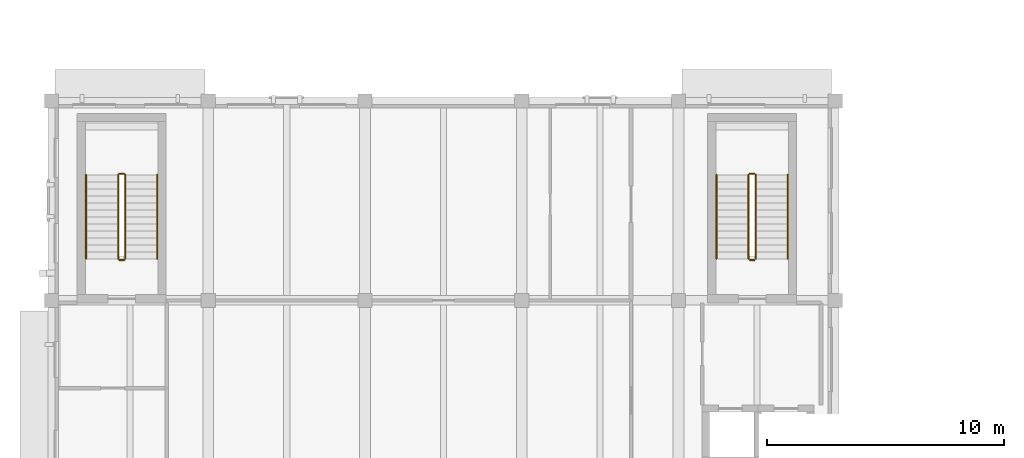
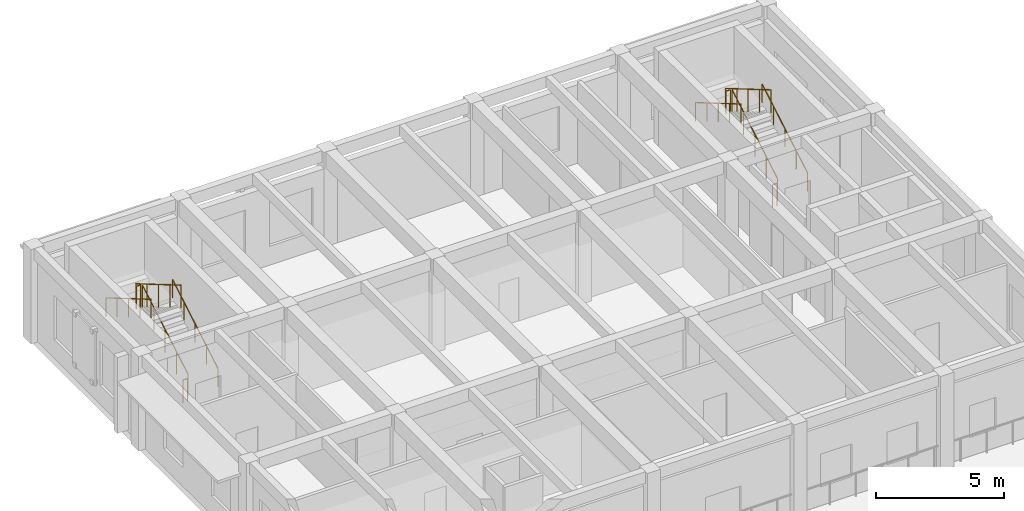
# One storey, part 19 of 25: 12 railings.
"""IFC4 building model written with IfcOpenShell, lengths in metres."""

from ifc_helpers import new_model, si_unit, direction, frame, origin, origin_2d, place, context, subcontext, project, spatial, circle, extrude, material, layer, layer_set, type_object, element, save


model = new_model("IFC4")

# Units and contexts
model_context = context("Model", 3, precision=1e-05, world=origin(), true_north=direction((0.0, 1.0)))
body_context = subcontext(model_context, "Body", "Model", "MODEL_VIEW")
ifc_project = project(units=[si_unit("LENGTHUNIT", "METRE"), si_unit("AREAUNIT", "SQUARE_METRE"), si_unit("VOLUMEUNIT", "CUBIC_METRE"), si_unit("PLANEANGLEUNIT", "RADIAN"), si_unit("MASSUNIT", "GRAM", prefix="KILO")], contexts=[model_context])

# Site, building, storey
site_placement = place(None, origin())
site = spatial("IfcSite", under=ifc_project, at=site_placement, CompositionType="ELEMENT")
building_placement = place(site_placement, origin())
building = spatial("IfcBuilding", under=site, at=building_placement, Name="Kolvaren Faculty of Natural Sciences", CompositionType="ELEMENT")
storey_placement = place(building_placement, frame((0.0, 0.0, 19.5)))
storey = spatial("IfcBuildingStorey", under=building, at=storey_placement, Name="L04", CompositionType="ELEMENT", Elevation=19.5)

# Railings
ifc_material = material(Name="Structural steel EN 10210-1 S355J2H", Category="steel")
ifc_layer_1 = layer(ifc_material, 0.048095703125)
ifc_layer_set_1 = layer_set([ifc_layer_1], Name="Structural steel EN 10210-1 S355J2H")
railing_type_1 = type_object("IfcRailingType", Name="StairPitchHandrail_920", PredefinedType="HANDRAIL", material=ifc_layer_set_1)
railing_1_placement = place(storey_placement, frame((37.800048828125, 35.550048828125, 0.173095703125)))
element("IfcRailing", 1, at=railing_1_placement, inside=storey, type_object=railing_type_1, Name="L04 ST-4 stair handrail 1", PredefinedType="HANDRAIL", context=body_context, shape_type="SweptSolid", body=[
    extrude(circle(Radius=0.02392578125, at=origin_2d()), frame((0.0, 0.0, 0.8759765625), z_axis=(0.0, 0.862516251723, 0.506029362304), x_axis=(-1.0, 0.0, 0.0)), (0.0, 0.0, 1.0), 4.104248046875),
    extrude(circle(Radius=0.02099609375, at=origin_2d()), origin(), (0.0, 0.0, 1.0), 0.851806640625),
    extrude(circle(Radius=0.02099609375, at=origin_2d()), frame((0.0, 0.885009765625, 0.519287109375)), (0.0, 0.0, 1.0), 0.851806640625),
    extrude(circle(Radius=0.02099609375, at=origin_2d()), frame((0.0, 1.77001953125, 1.03857421875)), (0.0, 0.0, 1.0), 0.851806640625),
    extrude(circle(Radius=0.02099609375, at=origin_2d()), frame((0.0, 2.655029296875, 1.5576171875)), (0.0, 0.0, 1.0), 0.851806640625),
    extrude(circle(Radius=0.02099609375, at=origin_2d()), frame((0.0, 3.5400390625, 2.076904296875)), (0.0, 0.0, 1.0), 0.851806640625),
])
railing_2_placement = place(storey_placement, frame((34.800048828125, 39.090087890625, 2.423095703125)))
element("IfcRailing", 2, at=railing_2_placement, inside=storey, type_object=railing_type_1, Name="L04 ST-4 stair handrail 2", PredefinedType="HANDRAIL", context=body_context, shape_type="SweptSolid", body=[
    extrude(circle(Radius=0.02392578125, at=origin_2d()), frame((0.0, 0.0, 0.8759765625), z_axis=(0.0, -0.862516251723, 0.506029362304), x_axis=(1.0, 0.0, 0.0)), (0.0, 0.0, 1.0), 4.104248046875),
    extrude(circle(Radius=0.02099609375, at=origin_2d()), origin(), (0.0, 0.0, 1.0), 0.851806640625),
    extrude(circle(Radius=0.02099609375, at=origin_2d()), frame((0.0, -0.885009765625, 0.519287109375)), (0.0, 0.0, 1.0), 0.851806640625),
    extrude(circle(Radius=0.02099609375, at=origin_2d()), frame((0.0, -1.77001953125, 1.03857421875)), (0.0, 0.0, 1.0), 0.851806640625),
    extrude(circle(Radius=0.02099609375, at=origin_2d()), frame((0.0, -2.655029296875, 1.5576171875)), (0.0, 0.0, 1.0), 0.851806640625),
    extrude(circle(Radius=0.02099609375, at=origin_2d()), frame((0.0, -3.5400390625, 2.076904296875)), (0.0, 0.0, 1.0), 0.851806640625),
])
railing_3_placement = place(storey_placement, frame((11.25, 35.550048828125, 0.173095703125)))
element("IfcRailing", 3, at=railing_3_placement, inside=storey, type_object=railing_type_1, Name="L04 ST-8 stair handrail 1", PredefinedType="HANDRAIL", context=body_context, shape_type="SweptSolid", body=[
    extrude(circle(Radius=0.02392578125, at=origin_2d()), frame((0.0, 0.0, 0.8759765625), z_axis=(0.0, 0.862516251723, 0.506029362304), x_axis=(-1.0, 0.0, 0.0)), (0.0, 0.0, 1.0), 4.104248046875),
    extrude(circle(Radius=0.02099609375, at=origin_2d()), origin(), (0.0, 0.0, 1.0), 0.851806640625),
    extrude(circle(Radius=0.02099609375, at=origin_2d()), frame((0.0, 0.885009765625, 0.519287109375)), (0.0, 0.0, 1.0), 0.851806640625),
    extrude(circle(Radius=0.02099609375, at=origin_2d()), frame((0.0, 1.77001953125, 1.03857421875)), (0.0, 0.0, 1.0), 0.851806640625),
    extrude(circle(Radius=0.02099609375, at=origin_2d()), frame((0.0, 2.655029296875, 1.5576171875)), (0.0, 0.0, 1.0), 0.851806640625),
    extrude(circle(Radius=0.02099609375, at=origin_2d()), frame((0.0, 3.5400390625, 2.076904296875)), (0.0, 0.0, 1.0), 0.851806640625),
])
railing_4_placement = place(storey_placement, frame((8.25, 39.090087890625, 2.423095703125)))
element("IfcRailing", 4, at=railing_4_placement, inside=storey, type_object=railing_type_1, Name="L04 ST-8 stair handrail 2", PredefinedType="HANDRAIL", context=body_context, shape_type="SweptSolid", body=[
    extrude(circle(Radius=0.02392578125, at=origin_2d()), frame((0.0, 0.0, 0.8759765625), z_axis=(0.0, -0.862516251723, 0.506029362304), x_axis=(1.0, 0.0, 0.0)), (0.0, 0.0, 1.0), 4.104248046875),
    extrude(circle(Radius=0.02099609375, at=origin_2d()), origin(), (0.0, 0.0, 1.0), 0.851806640625),
    extrude(circle(Radius=0.02099609375, at=origin_2d()), frame((0.0, -0.885009765625, 0.519287109375)), (0.0, 0.0, 1.0), 0.851806640625),
    extrude(circle(Radius=0.02099609375, at=origin_2d()), frame((0.0, -1.77001953125, 1.03857421875)), (0.0, 0.0, 1.0), 0.851806640625),
    extrude(circle(Radius=0.02099609375, at=origin_2d()), frame((0.0, -2.655029296875, 1.5576171875)), (0.0, 0.0, 1.0), 0.851806640625),
    extrude(circle(Radius=0.02099609375, at=origin_2d()), frame((0.0, -3.5400390625, 2.076904296875)), (0.0, 0.0, 1.0), 0.851806640625),
])
ifc_layer_2 = layer(ifc_material, 0.048095703125)
ifc_layer_set_2 = layer_set([ifc_layer_2], Name="Structural steel EN 10210-1 S355J2H")
railing_type_2 = type_object("IfcRailingType", Name="StairWellGuard_1100", PredefinedType="BALUSTRADE", material=ifc_layer_set_2)
railing_5_placement = place(storey_placement, frame((36.449951171875, 35.550048828125, 0.173095703125)))
element("IfcRailing", 5, at=railing_5_placement, inside=storey, type_object=railing_type_2, Name="L04 ST-4 stair guard 1", PredefinedType="BALUSTRADE", context=body_context, shape_type="SweptSolid", body=[
    extrude(circle(Radius=0.02392578125, at=origin_2d()), frame((0.0, 0.0, 1.076171875), z_axis=(0.0, 0.862516251723, 0.506029362304), x_axis=(-1.0, 0.0, 0.0)), (0.0, 0.0, 1.0), 4.104248046875),
    extrude(circle(Radius=0.02099609375, at=origin_2d()), origin(), (0.0, 0.0, 1.0), 1.052001953125),
    extrude(circle(Radius=0.02099609375, at=origin_2d()), frame((0.0, 0.885009765625, 0.519287109375)), (0.0, 0.0, 1.0), 1.052001953125),
    extrude(circle(Radius=0.02099609375, at=origin_2d()), frame((0.0, 1.77001953125, 1.03857421875)), (0.0, 0.0, 1.0), 1.052001953125),
    extrude(circle(Radius=0.02099609375, at=origin_2d()), frame((0.0, 2.655029296875, 1.5576171875)), (0.0, 0.0, 1.0), 1.052001953125),
    extrude(circle(Radius=0.02099609375, at=origin_2d()), frame((0.0, 3.5400390625, 2.076904296875)), (0.0, 0.0, 1.0), 1.052001953125),
])
railing_6_placement = place(storey_placement, frame((36.39990234375, 39.139892578125, 2.25)))
element("IfcRailing", 6, at=railing_6_placement, inside=storey, type_object=railing_type_2, Name="L04 ST-4 stair guard 2", PredefinedType="BALUSTRADE", context=body_context, shape_type="SweptSolid", body=[
    extrude(circle(Radius=0.02392578125, at=origin_2d()), frame((0.0, 0.0, 1.076171875), z_axis=(-1.0, 0.0, 0.0), x_axis=(0.0, -1.0, 0.0)), (0.0, 0.0, 1.0), 0.199951171875),
    extrude(circle(Radius=0.02099609375, at=origin_2d()), origin(), (0.0, 0.0, 1.0), 1.052001953125),
    extrude(circle(Radius=0.02099609375, at=origin_2d()), frame((-0.199951171875, 0.0, 0.0)), (0.0, 0.0, 1.0), 1.052001953125),
])
railing_7_placement = place(storey_placement, frame((36.14990234375, 39.090087890625, 2.423095703125)))
element("IfcRailing", 7, at=railing_7_placement, inside=storey, type_object=railing_type_2, Name="L04 ST-4 stair guard 3", PredefinedType="BALUSTRADE", context=body_context, shape_type="SweptSolid", body=[
    extrude(circle(Radius=0.02392578125, at=origin_2d()), frame((0.0, 0.0, 1.076171875), z_axis=(0.0, -0.862516251723, 0.506029362304), x_axis=(1.0, 0.0, 0.0)), (0.0, 0.0, 1.0), 4.104248046875),
    extrude(circle(Radius=0.02099609375, at=origin_2d()), origin(), (0.0, 0.0, 1.0), 1.052001953125),
    extrude(circle(Radius=0.02099609375, at=origin_2d()), frame((0.0, -0.885009765625, 0.519287109375)), (0.0, 0.0, 1.0), 1.052001953125),
    extrude(circle(Radius=0.02099609375, at=origin_2d()), frame((0.0, -1.77001953125, 1.03857421875)), (0.0, 0.0, 1.0), 1.052001953125),
    extrude(circle(Radius=0.02099609375, at=origin_2d()), frame((0.0, -2.655029296875, 1.5576171875)), (0.0, 0.0, 1.0), 1.052001953125),
    extrude(circle(Radius=0.02099609375, at=origin_2d()), frame((0.0, -3.5400390625, 2.076904296875)), (0.0, 0.0, 1.0), 1.052001953125),
])
railing_8_placement = place(storey_placement, frame((36.39990234375, 35.5, 0.0)))
element("IfcRailing", 8, at=railing_8_placement, inside=storey, type_object=railing_type_2, Name="L04 ST-4 stair guard 4", PredefinedType="BALUSTRADE", context=body_context, shape_type="SweptSolid", body=[
    extrude(circle(Radius=0.02392578125, at=origin_2d()), frame((0.0, 0.0, 1.076171875), z_axis=(-1.0, 0.0, 0.0), x_axis=(0.0, -1.0, 0.0)), (0.0, 0.0, 1.0), 0.199951171875),
    extrude(circle(Radius=0.02099609375, at=origin_2d()), origin(), (0.0, 0.0, 1.0), 1.052001953125),
    extrude(circle(Radius=0.02099609375, at=origin_2d()), frame((-0.199951171875, 0.0, 0.0)), (0.0, 0.0, 1.0), 1.052001953125),
])
railing_9_placement = place(storey_placement, frame((9.89990234375, 35.550048828125, 0.173095703125)))
element("IfcRailing", 9, at=railing_9_placement, inside=storey, type_object=railing_type_2, Name="L04 ST-8 stair guard 1", PredefinedType="BALUSTRADE", context=body_context, shape_type="SweptSolid", body=[
    extrude(circle(Radius=0.02392578125, at=origin_2d()), frame((0.0, 0.0, 1.076171875), z_axis=(0.0, 0.862516251723, 0.506029362304), x_axis=(-1.0, 0.0, 0.0)), (0.0, 0.0, 1.0), 4.104248046875),
    extrude(circle(Radius=0.02099609375, at=origin_2d()), origin(), (0.0, 0.0, 1.0), 1.052001953125),
    extrude(circle(Radius=0.02099609375, at=origin_2d()), frame((0.0, 0.885009765625, 0.519287109375)), (0.0, 0.0, 1.0), 1.052001953125),
    extrude(circle(Radius=0.02099609375, at=origin_2d()), frame((0.0, 1.77001953125, 1.03857421875)), (0.0, 0.0, 1.0), 1.052001953125),
    extrude(circle(Radius=0.02099609375, at=origin_2d()), frame((0.0, 2.655029296875, 1.5576171875)), (0.0, 0.0, 1.0), 1.052001953125),
    extrude(circle(Radius=0.02099609375, at=origin_2d()), frame((0.0, 3.5400390625, 2.076904296875)), (0.0, 0.0, 1.0), 1.052001953125),
])
railing_10_placement = place(storey_placement, frame((9.85009765625, 39.139892578125, 2.25)))
element("IfcRailing", 10, at=railing_10_placement, inside=storey, type_object=railing_type_2, Name="L04 ST-8 stair guard 2", PredefinedType="BALUSTRADE", context=body_context, shape_type="SweptSolid", body=[
    extrude(circle(Radius=0.02392578125, at=origin_2d()), frame((0.0, 0.0, 1.076171875), z_axis=(-1.0, 0.0, 0.0), x_axis=(0.0, -1.0, 0.0)), (0.0, 0.0, 1.0), 0.2001953125),
    extrude(circle(Radius=0.02099609375, at=origin_2d()), origin(), (0.0, 0.0, 1.0), 1.052001953125),
    extrude(circle(Radius=0.02099609375, at=origin_2d()), frame((-0.2001953125, 0.0, 0.0)), (0.0, 0.0, 1.0), 1.052001953125),
])
railing_11_placement = place(storey_placement, frame((9.60009765625, 39.090087890625, 2.423095703125)))
element("IfcRailing", 11, at=railing_11_placement, inside=storey, type_object=railing_type_2, Name="L04 ST-8 stair guard 3", PredefinedType="BALUSTRADE", context=body_context, shape_type="SweptSolid", body=[
    extrude(circle(Radius=0.02392578125, at=origin_2d()), frame((0.0, 0.0, 1.076171875), z_axis=(0.0, -0.862516251723, 0.506029362304), x_axis=(1.0, 0.0, 0.0)), (0.0, 0.0, 1.0), 4.104248046875),
    extrude(circle(Radius=0.02099609375, at=origin_2d()), origin(), (0.0, 0.0, 1.0), 1.052001953125),
    extrude(circle(Radius=0.02099609375, at=origin_2d()), frame((0.0, -0.885009765625, 0.519287109375)), (0.0, 0.0, 1.0), 1.052001953125),
    extrude(circle(Radius=0.02099609375, at=origin_2d()), frame((0.0, -1.77001953125, 1.03857421875)), (0.0, 0.0, 1.0), 1.052001953125),
    extrude(circle(Radius=0.02099609375, at=origin_2d()), frame((0.0, -2.655029296875, 1.5576171875)), (0.0, 0.0, 1.0), 1.052001953125),
    extrude(circle(Radius=0.02099609375, at=origin_2d()), frame((0.0, -3.5400390625, 2.076904296875)), (0.0, 0.0, 1.0), 1.052001953125),
])
railing_12_placement = place(storey_placement, frame((9.85009765625, 35.5, 0.0)))
element("IfcRailing", 12, at=railing_12_placement, inside=storey, type_object=railing_type_2, Name="L04 ST-8 stair guard 4", PredefinedType="BALUSTRADE", context=body_context, shape_type="SweptSolid", body=[
    extrude(circle(Radius=0.02392578125, at=origin_2d()), frame((0.0, 0.0, 1.076171875), z_axis=(-1.0, 0.0, 0.0), x_axis=(0.0, -1.0, 0.0)), (0.0, 0.0, 1.0), 0.2001953125),
    extrude(circle(Radius=0.02099609375, at=origin_2d()), origin(), (0.0, 0.0, 1.0), 1.052001953125),
    extrude(circle(Radius=0.02099609375, at=origin_2d()), frame((-0.2001953125, 0.0, 0.0)), (0.0, 0.0, 1.0), 1.052001953125),
])

save(model, "model.ifc")
